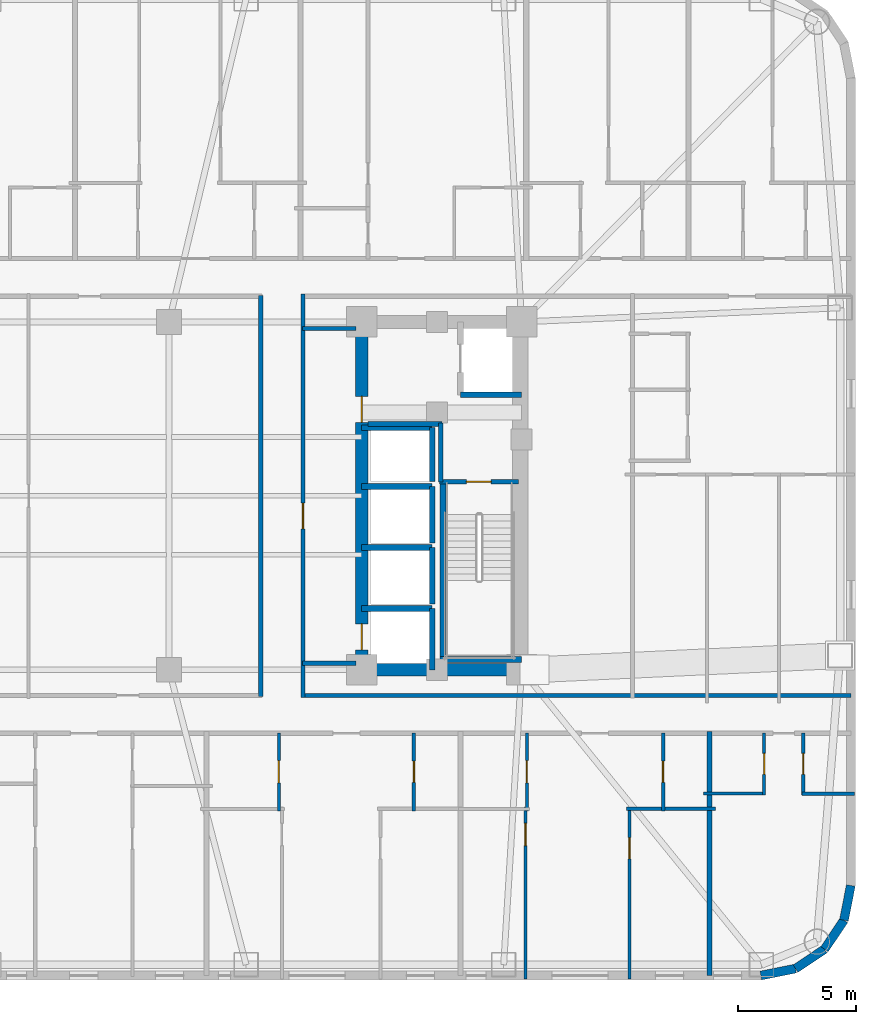
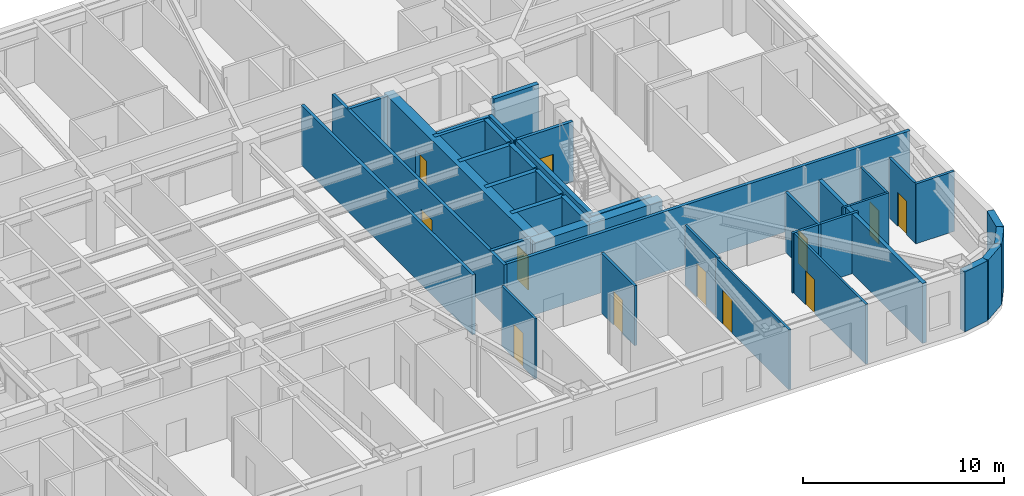
# One storey, part 6 of 11: 37 walls, 12 doors, 12 openings.
"""IFC4 building model written with IfcOpenShell, lengths in metres."""

import ifcopenshell
import ifcopenshell.guid

model = None  # the IFC model being written
_history = None  # IfcOwnerHistory: only IFC2X3 demands one
_inside = {}  # id of a spatial element -> (the spatial element, [elements in it])
_under = {}  # id of a project, library or spatial element -> (it, [spatial elements below it])
_declared = {}  # id of a project -> (the project, [libraries it declares])
_typed = {}  # id of a type object -> (the type object, [elements of that type])
_made_of = {}  # id of a material, layer set ... -> (it, [elements and type objects made of it])


def new_model(schema):
    """Start an empty IFC model of exactly this schema.

    Asked for "IFC4X3", IfcOpenShell would pick the latest addendum, in which some entities
    have other attributes; the version numbers below select the first issue.
    IFC2X3 requires an IfcOwnerHistory on every rooted entity: one is made here for all.
    """
    global model, _history
    if schema == "IFC4X3":
        model = ifcopenshell.file(schema_version=(4, 3, 0, 0))
    else:
        model = ifcopenshell.file(schema=schema)
    _inside.clear()
    _under.clear()
    _declared.clear()
    _typed.clear()
    _made_of.clear()
    _history = None
    if model.schema == "IFC2X3":
        org = make("IfcOrganization", Name="unknown")
        user = make(
            "IfcPersonAndOrganization",
            ThePerson=make("IfcPerson", FamilyName="unknown"),
            TheOrganization=org,
        )
        app = make(
            "IfcApplication",
            ApplicationDeveloper=org,
            Version="unknown",
            ApplicationFullName="unknown",
            ApplicationIdentifier="unknown",
        )
        _history = make(
            "IfcOwnerHistory",
            OwningUser=user,
            OwningApplication=app,
            ChangeAction="ADDED",
            CreationDate=0,
        )
    return model


def make(cls, **values):
    """One entity of the class cls with the attributes given. An attribute that is None is left unset."""
    return model.create_entity(
        cls, **{name: value for name, value in values.items() if value is not None}
    )


def rooted(cls, **values):
    """An entity with a GlobalId (a new one), such as an element, a storey or a relation."""
    return make(cls, GlobalId=ifcopenshell.guid.new(), OwnerHistory=_history, **values)


def si_unit(unit_type, name, prefix=None):
    """IfcSIUnit, for example si_unit("LENGTHUNIT", "METRE", prefix="MILLI")."""
    return make("IfcSIUnit", UnitType=unit_type, Prefix=prefix, Name=name)


def assignment(units):
    """IfcUnitAssignment: the units of a project."""
    return None if units is None else make("IfcUnitAssignment", Units=units)


def point(xyz):
    """IfcCartesianPoint."""
    return None if xyz is None else make("IfcCartesianPoint", Coordinates=xyz)


def direction(xyz):
    """IfcDirection."""
    return None if xyz is None else make("IfcDirection", DirectionRatios=xyz)


def frame(location, z_axis=None, x_axis=None):
    """IfcAxis2Placement3D, a coordinate frame: its origin and axes. An axis left out is left unset."""
    return make(
        "IfcAxis2Placement3D",
        Location=point(location),
        Axis=direction(z_axis),
        RefDirection=direction(x_axis),
    )


def frame_2d(location, x_axis=None):
    """IfcAxis2Placement2D, a coordinate frame in the plane: its origin and x axis."""
    return make(
        "IfcAxis2Placement2D", Location=point(location), RefDirection=direction(x_axis)
    )


def origin():
    """The frame at (0, 0, 0) with its axes left unset."""
    return frame((0.0, 0.0, 0.0))


def place(relative_to, where):
    """IfcLocalPlacement: puts the frame where relative to a parent placement (None: the world)."""
    return make(
        "IfcLocalPlacement", PlacementRelTo=relative_to, RelativePlacement=where
    )


def context(
    kind, dimensions, precision=None, world=None, true_north=None, identifier=None
):
    """IfcGeometricRepresentationContext, for example the 3D "Model" context."""
    return make(
        "IfcGeometricRepresentationContext",
        ContextIdentifier=identifier,
        ContextType=kind,
        CoordinateSpaceDimension=dimensions,
        Precision=precision,
        WorldCoordinateSystem=world,
        TrueNorth=true_north,
    )


def subcontext(parent, identifier, kind, view, scale=None):
    """IfcGeometricRepresentationSubContext, for example "Body" below "Model"."""
    return make(
        "IfcGeometricRepresentationSubContext",
        ContextIdentifier=identifier,
        ContextType=kind,
        ParentContext=parent,
        TargetScale=scale,
        TargetView=view,
    )


def project(units=None, contexts=None):
    """IfcProject with its units and contexts."""
    return rooted(
        "IfcProject",
        Name="project",
        RepresentationContexts=contexts,
        UnitsInContext=assignment(units),
    )


def spatial(cls, under=None, at=None, **own):
    """A site, building, storey or space (cls), placed at a placement, below another one or the project."""
    s = rooted(cls, ObjectPlacement=at, **own)
    if under is not None:
        _under.setdefault(under.id(), (under, []))[1].append(s)
    return s


def profile(cls, at=None, kind="AREA", **sizes):
    """A parametric profile (cls). Its sizes go by their IFC names, for example OverallWidth=200.0."""
    return make(cls, ProfileType=kind, Position=at, **sizes)


def rectangle(**sizes):
    """IfcRectangleProfileDef."""
    return profile("IfcRectangleProfileDef", **sizes)


def extrude(swept, where, along, depth):
    """IfcExtrudedAreaSolid: the profile swept, set in the frame where, extruded along a direction by depth."""
    return make(
        "IfcExtrudedAreaSolid",
        SweptArea=swept,
        Position=where,
        ExtrudedDirection=direction(along),
        Depth=depth,
    )


def shape(context_of_items, identifier, shape_type, items):
    """IfcShapeRepresentation: the items that make up one representation, for example the "Body"."""
    return make(
        "IfcShapeRepresentation",
        ContextOfItems=context_of_items,
        RepresentationIdentifier=identifier,
        RepresentationType=shape_type,
        Items=items,
    )


def material(Name=None, Category=None):
    """IfcMaterial."""
    return make("IfcMaterial", Name=Name, Category=Category)


def layer(
    of_material, thickness, ventilated=None, Name=None, Category=None, Priority=None
):
    """IfcMaterialLayer: one layer of a wall or slab, of a material (None: an air gap)."""
    return make(
        "IfcMaterialLayer",
        Material=of_material,
        LayerThickness=thickness,
        IsVentilated=ventilated,
        Name=Name,
        Category=Category,
        Priority=Priority,
    )


def layer_set(layers, Name=None):
    """IfcMaterialLayerSet."""
    return make("IfcMaterialLayerSet", MaterialLayers=layers, LayerSetName=Name)


def made_of(thing, what):
    """Note that an element or type object is made of a material, layer set ...; save() writes the relation."""
    if what is not None:
        _made_of.setdefault(what.id(), (what, []))[1].append(thing)
    return thing


def type_object(cls, material=None, **own):
    """A type object (cls), such as IfcWallType, which elements share."""
    return made_of(rooted(cls, **own), material)


def element(
    cls,
    number,
    at=None,
    inside=None,
    cuts=None,
    type_object=None,
    material=None,
    context=None,
    identifier="Body",
    shape_type=None,
    held_by="IfcProductDefinitionShape",
    body=None,
    shapes=None,
    **own,
):
    """One element of the class cls, such as IfcWall. Its Tag is "e" and its number.

    at: its placement. inside: the storey or other place that contains it. cuts: it is an
    opening in that element (IfcRelVoidsElement). A single representation is given by context,
    identifier, shape_type and body (its items); several are given by shapes. held_by: the class
    of the entity that holds the representations. save() writes the other relations.
    """
    e = rooted(cls, Tag="e%d" % number, ObjectPlacement=at, **own)
    if body is not None:
        shapes = [shape(context, identifier, shape_type, body)]
    if shapes is not None:
        e.Representation = make(held_by, Representations=shapes)
    if inside is not None:
        _inside.setdefault(inside.id(), (inside, []))[1].append(e)
    if cuts is not None:
        rooted(
            "IfcRelVoidsElement", RelatingBuildingElement=cuts, RelatedOpeningElement=e
        )
    if type_object is not None:
        _typed.setdefault(type_object.id(), (type_object, []))[1].append(e)
    return made_of(e, material)


def fill(opening, filler):
    """IfcRelFillsElement: the door or window that sits in an opening."""
    return rooted(
        "IfcRelFillsElement",
        RelatingOpeningElement=opening,
        RelatedBuildingElement=filler,
    )


def aggregate(whole, parts):
    """IfcRelAggregates: a whole, such as a stair, and the parts it consists of."""
    return rooted("IfcRelAggregates", RelatingObject=whole, RelatedObjects=parts)


def save(model, path):
    """Write the relations noted so far, then the file.

    IfcRelAggregates (storeys below a building ...), IfcRelContainedInSpatialStructure (elements
    in a storey), IfcRelDefinesByType, IfcRelAssociatesMaterial and IfcRelDeclares: one each for
    every whole, place, type object, material and project.
    """
    for whole, parts in _under.values():
        aggregate(whole, parts)
    for where, things in _inside.values():
        rooted(
            "IfcRelContainedInSpatialStructure",
            RelatedElements=things,
            RelatingStructure=where,
        )
    for kind, things in _typed.values():
        rooted("IfcRelDefinesByType", RelatedObjects=things, RelatingType=kind)
    for what, things in _made_of.values():
        rooted("IfcRelAssociatesMaterial", RelatedObjects=things, RelatingMaterial=what)
    for by, libraries in _declared.values():
        rooted("IfcRelDeclares", RelatingContext=by, RelatedDefinitions=libraries)
    model.write(path)


model = new_model("IFC4")

# Units and contexts
model_context = context("Model", 3, precision=1e-05, world=origin(), true_north=direction((0.0, 1.0)))
body_context = subcontext(model_context, "Body", "Model", "MODEL_VIEW")
ifc_project = project(units=[si_unit("LENGTHUNIT", "METRE"), si_unit("AREAUNIT", "SQUARE_METRE"), si_unit("VOLUMEUNIT", "CUBIC_METRE"), si_unit("PLANEANGLEUNIT", "RADIAN"), si_unit("MASSUNIT", "GRAM", prefix="KILO")], contexts=[model_context])

# Site, building, storey
site_placement = place(None, origin())
site = spatial("IfcSite", under=ifc_project, at=site_placement, CompositionType="ELEMENT")
building_placement = place(site_placement, origin())
building = spatial("IfcBuilding", under=site, at=building_placement, Name="Voryun Gate Residences", CompositionType="ELEMENT")
storey_placement = place(building_placement, frame((0.0, 0.0, 97.5)))
storey = spatial("IfcBuildingStorey", under=building, at=storey_placement, Name="L23", CompositionType="ELEMENT", Elevation=97.5)

# Wall
ifc_material_1 = material(Name="Concrete C60/75", Category="concrete")
ifc_layer_1 = layer(ifc_material_1, 0.550048828125, Name="CW_CORE_550")
ifc_layer_set_1 = layer_set([ifc_layer_1], Name="Concrete C60/75")
wall_type_1 = type_object("IfcWallType", Name="CW_CORE_550", PredefinedType="SHEAR", material=ifc_layer_set_1)
wall_1_placement = place(storey_placement, frame((12.125, -7.39990234375, 0.0), z_axis=(0.0, 0.0, 1.0), x_axis=(1.0, 0.0, 0.0)))
element("IfcWall", 1, at=wall_1_placement, inside=storey, type_object=wall_type_1, Name="L23 Core shear wall CW-L23-ES", PredefinedType="SHEAR", context=body_context, shape_type="SweptSolid", body=[
    extrude(rectangle(XDim=7.35009765625, YDim=0.550048828125, at=frame_2d((3.675048828125, 0.0))), origin(), (0.0, 0.0, 1.0), 3.64990234375),
])

# Wall, openings, doors
wall_2_placement = place(storey_placement, frame((12.39990234375, -7.39990234375, 0.0), z_axis=(0.0, 0.0, 1.0), x_axis=(0.0, 1.0, 0.0)))
wall_2 = element("IfcWall", 2, at=wall_2_placement, inside=storey, type_object=wall_type_1, Name="L23 Core shear wall CW-L23-EW", PredefinedType="SHEAR", context=body_context, shape_type="SweptSolid", body=[
    extrude(rectangle(XDim=14.7998046875, YDim=0.550048828125, at=frame_2d((7.39990234375, 0.0))), origin(), (0.0, 0.0, 1.0), 3.64990234375),
])
opening_1_placement = place(wall_2_placement, frame((0.85009765625, 0.0, 0.0)))
opening_1 = element("IfcOpeningElement", 3, at=opening_1_placement, cuts=wall_2, Name="Opening LD2", PredefinedType="OPENING", context=body_context, shape_type="SweptSolid", body=[
    extrude(rectangle(XDim=1.10009765625, YDim=2.050048828125, at=frame_2d((0.550048828125, 1.02490234375))), frame((0.0, 0.284912109375, 0.0), z_axis=(0.0, -1.0, 0.0), x_axis=(1.0, 0.0, 0.0)), (0.0, 0.0, 1.0), 0.570068359375),
])
opening_2_placement = place(wall_2_placement, frame((10.530029296875, 0.0, 0.0)))
opening_2 = element("IfcOpeningElement", 4, at=opening_2_placement, cuts=wall_2, Name="Opening D-FD60-2", PredefinedType="OPENING", context=body_context, shape_type="SweptSolid", body=[
    extrude(rectangle(XDim=1.10009765625, YDim=2.050048828125, at=frame_2d((0.550048828125, 1.02490234375))), frame((0.0, 0.284912109375, 0.0), z_axis=(0.0, -1.0, 0.0), x_axis=(1.0, 0.0, 0.0)), (0.0, 0.0, 1.0), 0.570068359375),
])
ifc_material_2 = material(Name="Painted steel fire door", Category="steel")
door_type_1 = type_object("IfcDoorType", Name="DR_FD60_FFLOB_1100", OperationType="NOTDEFINED", PredefinedType="DOOR", material=ifc_material_2)
door_1_placement = place(opening_2_placement, origin())
door_1 = element("IfcDoor", 5, at=door_1_placement, inside=storey, type_object=door_type_1, Name="Door DR-L23-CLOB-E", OperationType="SINGLE_SWING_RIGHT", OverallHeight=2.050048828125, OverallWidth=1.10009765625, PredefinedType="DOOR", context=body_context, shape_type="SweptSolid", body=[
    extrude(rectangle(XDim=1.10009765625, YDim=2.050048828125, at=frame_2d((0.550048828125, 1.02490234375))), frame((0.0, 0.02490234375, 0.0), z_axis=(0.0, -1.0, 0.0), x_axis=(1.0, 0.0, 0.0)), (0.0, 0.0, 1.0), 0.050048828125),
])
fill(opening_2, door_1)
ifc_material_3 = material(Name="Anodised aluminium", Category="aluminium")
door_type_2 = type_object("IfcDoorType", Name="DR_LD_PASS_1100", OperationType="NOTDEFINED", PredefinedType="DOOR", material=ifc_material_3)
door_2_placement = place(opening_1_placement, origin())
door_2 = element("IfcDoor", 6, at=door_2_placement, inside=storey, type_object=door_type_2, Name="Lift EL-P3 sliding landing door L23", OperationType="SLIDING_TO_LEFT", OverallHeight=2.050048828125, OverallWidth=1.10009765625, PredefinedType="DOOR", context=body_context, shape_type="SweptSolid", body=[
    extrude(rectangle(XDim=1.10009765625, YDim=2.050048828125, at=frame_2d((0.550048828125, 1.02490234375))), frame((0.0, 0.02490234375, 0.0), z_axis=(0.0, -1.0, 0.0), x_axis=(1.0, 0.0, 0.0)), (0.0, 0.0, 1.0), 0.050048828125),
])
fill(opening_1, door_2)

# Wall, opening, door
ifc_material_4 = material(Name="Gypsum acoustic fireboard")
ifc_layer_2 = layer(ifc_material_4, 0.179931640625, Name="W_CORR_RATED_180")
ifc_layer_set_2 = layer_set([ifc_layer_2], Name="Gypsum acoustic fireboard")
wall_type_2 = type_object("IfcWallType", Name="W_CORR_RATED_180", PredefinedType="PARTITIONING", material=ifc_layer_set_2)
wall_3_placement = place(storey_placement, frame((15.699951171875, 0.60009765625, 0.0), z_axis=(0.0, 0.0, 1.0), x_axis=(1.0, 0.0, 0.0)))
wall_3 = element("IfcWall", 7, at=wall_3_placement, inside=storey, type_object=wall_type_2, Name="Partition wall WP-L23-STV-E", PredefinedType="PARTITIONING", context=body_context, shape_type="SweptSolid", body=[
    extrude(rectangle(XDim=3.360107421875, YDim=0.179931640625, at=frame_2d((1.68017578125, 0.0))), origin(), (0.0, 0.0, 1.0), 3.64990234375),
])
opening_3_placement = place(wall_3_placement, frame((1.155029296875, 0.0, 0.0)))
opening_3 = element("IfcOpeningElement", 8, at=opening_3_placement, cuts=wall_3, Name="Opening D-FD60-1", PredefinedType="OPENING", context=body_context, shape_type="SweptSolid", body=[
    extrude(rectangle(XDim=1.050048828125, YDim=2.050048828125, at=frame_2d((0.52490234375, 1.02490234375))), frame((0.0, 0.099853515625, 0.0), z_axis=(0.0, -1.0, 0.0), x_axis=(1.0, 0.0, 0.0)), (0.0, 0.0, 1.0), 0.199951171875),
])
ifc_material_5 = material(Name="Painted steel fire door", Category="steel")
door_type_3 = type_object("IfcDoorType", Name="DR_FD60_STAIR_1050", OperationType="NOTDEFINED", PredefinedType="DOOR", material=ifc_material_5)
door_3_placement = place(opening_3_placement, origin())
door_3 = element("IfcDoor", 9, at=door_3_placement, inside=storey, type_object=door_type_3, Name="Door DR-L23-ST-E", OperationType="SINGLE_SWING_RIGHT", OverallHeight=2.050048828125, OverallWidth=1.050048828125, PredefinedType="DOOR", context=body_context, shape_type="SweptSolid", body=[
    extrude(rectangle(XDim=1.050048828125, YDim=2.050048828125, at=frame_2d((0.52490234375, 1.02490234375))), frame((0.0, 0.02490234375, 0.0), z_axis=(0.0, -1.0, 0.0), x_axis=(1.0, 0.0, 0.0)), (0.0, 0.0, 1.0), 0.050048828125),
])
fill(opening_3, door_3)

# Walls
for number, where, z_axis, x_axis, name in (
    (10, (9.8798828125, 7.1201171875, 0.0), (0.0, 0.0, 1.0), (1.0, 0.0, 0.0), "Partition wall WP-L23-PLBN-E"),
    (11, (9.8798828125, -7.1201171875, 0.0), (0.0, 0.0, 1.0), (1.0, 0.0, 0.0), "Partition wall WP-L23-PLBS-E"),
):
    element("IfcWall", number, at=place(storey_placement, frame(where, z_axis=z_axis, x_axis=x_axis)), inside=storey, type_object=wall_type_2, Name=name, PredefinedType="PARTITIONING", context=body_context, shape_type="SweptSolid", body=[
        extrude(rectangle(XDim=2.27001953125, YDim=0.179931640625, at=frame_2d((1.135009765625, 0.0))), origin(), (0.0, 0.0, 1.0), 3.64990234375),
    ])

# Wall, opening, door
wall_4_placement = place(storey_placement, frame((9.89990234375, -8.580078125, 0.0), z_axis=(0.0, 0.0, 1.0), x_axis=(0.0, 1.0, 0.0)))
wall_4 = element("IfcWall", 12, at=wall_4_placement, inside=storey, type_object=wall_type_2, Name="Partition wall WP-L23-PLBE-FULL", PredefinedType="PARTITIONING", context=body_context, shape_type="SweptSolid", body=[
    extrude(rectangle(XDim=17.16015625, YDim=0.179931640625, at=frame_2d((8.580078125, 0.0))), origin(), (0.0, 0.0, 1.0), 3.64990234375),
])
opening_4_placement = place(wall_4_placement, frame((7.172119140625, 0.0, 0.0)))
opening_4 = element("IfcOpeningElement", 13, at=opening_4_placement, cuts=wall_4, Name="Opening D-FD60-2", PredefinedType="OPENING", context=body_context, shape_type="SweptSolid", body=[
    extrude(rectangle(XDim=1.10009765625, YDim=2.050048828125, at=frame_2d((0.550048828125, 1.02490234375))), frame((0.0, 0.099853515625, 0.0), z_axis=(0.0, -1.0, 0.0), x_axis=(1.0, 0.0, 0.0)), (0.0, 0.0, 1.0), 0.199951171875),
])
door_4_placement = place(opening_4_placement, origin())
door_4 = element("IfcDoor", 14, at=door_4_placement, inside=storey, type_object=door_type_1, Name="Door DR-L23-PLBE-COR", OperationType="SINGLE_SWING_RIGHT", OverallHeight=2.050048828125, OverallWidth=1.10009765625, PredefinedType="DOOR", context=body_context, shape_type="SweptSolid", body=[
    extrude(rectangle(XDim=1.10009765625, YDim=2.050048828125, at=frame_2d((0.550048828125, 1.02490234375))), frame((0.0, 0.02490234375, 0.0), z_axis=(0.0, -1.0, 0.0), x_axis=(1.0, 0.0, 0.0)), (0.0, 0.0, 1.0), 0.050048828125),
])
fill(opening_4, door_4)

# Walls
wall_5_placement = place(storey_placement, frame((9.8798828125, -8.489990234375, 0.0), z_axis=(0.0, 0.0, 1.0), x_axis=(1.0, 0.0, 0.0)))
element("IfcWall", 15, at=wall_5_placement, inside=storey, type_object=wall_type_2, Name="Partition wall WP-L23-CWING-ES", PredefinedType="PARTITIONING", context=body_context, shape_type="SweptSolid", body=[
    extrude(rectangle(XDim=23.330078125, YDim=0.179931640625, at=frame_2d((11.6650390625, 0.0))), origin(), (0.0, 0.0, 1.0), 3.64990234375),
])
wall_6_placement = place(storey_placement, frame((8.10009765625, -8.530029296875, 0.0), z_axis=(0.0, 0.0, 1.0), x_axis=(0.0, 1.0, 0.0)))
element("IfcWall", 16, at=wall_6_placement, inside=storey, type_object=wall_type_2, Name="Partition wall WP-L23-Z1E", PredefinedType="PARTITIONING", context=body_context, shape_type="SweptSolid", body=[
    extrude(rectangle(XDim=17.06005859375, YDim=0.179931640625, at=frame_2d((8.530029296875, 0.0))), origin(), (0.0, 0.0, 1.0), 3.64990234375),
])
ifc_material_6 = material(Name="Granite masonry", Category="masonry")
ifc_layer_3 = layer(ifc_material_6, 0.3798828125, Name="W_EXT_GRANITE_380")
ifc_layer_set_3 = layer_set([ifc_layer_3], Name="Granite masonry")
wall_type_3 = type_object("IfcWallType", Name="W_EXT_GRANITE_380", PredefinedType="ELEMENTEDWALL", material=ifc_layer_set_3)
wall_7_placement = place(storey_placement, frame((33.2099609375, -16.581298828125, 0.0), z_axis=(0.0, 0.0, 1.0), x_axis=(-0.195086038585, -0.980786132421, 0.0)))
element("IfcWall", 17, at=wall_7_placement, inside=storey, type_object=wall_type_3, Name="Exterior wall WEXT-L23-17", PredefinedType="ELEMENTEDWALL", context=body_context, shape_type="SweptSolid", body=[
    extrude(rectangle(XDim=1.504150390625, YDim=0.3798828125, at=frame_2d((0.751953125, 0.0))), origin(), (0.0, 0.0, 1.0), 3.64990234375),
])
wall_8_placement = place(storey_placement, frame((32.91650390625, -18.056640625, 0.0), z_axis=(0.0, 0.0, 1.0), x_axis=(-0.555610286119, -0.831442848281, 0.0)))
element("IfcWall", 18, at=wall_8_placement, inside=storey, type_object=wall_type_3, Name="Exterior wall WEXT-L23-18", PredefinedType="ELEMENTEDWALL", context=body_context, shape_type="SweptSolid", body=[
    extrude(rectangle(XDim=1.485107421875, YDim=0.3798828125, at=frame_2d((0.74267578125, 0.0))), origin(), (0.0, 0.0, 1.0), 3.64990234375),
])
wall_9_placement = place(storey_placement, frame((32.09130859375, -19.29150390625, 0.0), z_axis=(0.0, 0.0, 1.0), x_axis=(-0.831468045563, -0.555572577804, 0.0)))
element("IfcWall", 19, at=wall_9_placement, inside=storey, type_object=wall_type_3, Name="Exterior wall WEXT-L23-19", PredefinedType="ELEMENTEDWALL", context=body_context, shape_type="SweptSolid", body=[
    extrude(rectangle(XDim=1.48486328125, YDim=0.3798828125, at=frame_2d((0.742431640625, 0.0))), origin(), (0.0, 0.0, 1.0), 3.64990234375),
])
wall_10_placement = place(storey_placement, frame((30.856689453125, -20.116455078125, 0.0), z_axis=(0.0, 0.0, 1.0), x_axis=(-0.980786132421, -0.195086038585, 0.0)))
element("IfcWall", 20, at=wall_10_placement, inside=storey, type_object=wall_type_3, Name="Exterior wall WEXT-L23-20", PredefinedType="ELEMENTEDWALL", context=body_context, shape_type="SweptSolid", body=[
    extrude(rectangle(XDim=1.504150390625, YDim=0.3798828125, at=frame_2d((0.751953125, 0.0))), origin(), (0.0, 0.0, 1.0), 3.64990234375),
])
ifc_material_7 = material(Name="Concrete C40/50", Category="concrete")
ifc_layer_4 = layer(ifc_material_7, 0.199951171875, Name="W_FF_LOBBY_200")
ifc_layer_set_4 = layer_set([ifc_layer_4], Name="Concrete C40/50")
wall_type_4 = type_object("IfcWallType", Name="W_FF_LOBBY_200", PredefinedType="PARTITIONING", material=ifc_layer_set_4)
wall_11_placement = place(storey_placement, frame((15.760009765625, 0.580078125, 0.0), z_axis=(0.0, 0.0, 1.0), x_axis=(0.0, 1.0, 0.0)))
element("IfcWall", 21, at=wall_11_placement, inside=storey, type_object=wall_type_4, Name="Partition wall WP-L23-FFP0-E", PredefinedType="PARTITIONING", context=body_context, shape_type="SweptSolid", body=[
    extrude(rectangle(XDim=2.52001953125, YDim=0.199951171875, at=frame_2d((1.260009765625, 0.0))), origin(), (0.0, 0.0, 1.0), 3.64990234375),
])
wall_12_placement = place(storey_placement, frame((12.659912109375, 3.06005859375, 0.0), z_axis=(0.0, 0.0, 1.0), x_axis=(1.0, 0.0, 0.0)))
element("IfcWall", 22, at=wall_12_placement, inside=storey, type_object=wall_type_4, Name="Partition wall WP-L23-FFPS-E", PredefinedType="PARTITIONING", context=body_context, shape_type="SweptSolid", body=[
    extrude(rectangle(XDim=3.16015625, YDim=0.199951171875, at=frame_2d((1.580078125, 0.0))), origin(), (0.0, 0.0, 1.0), 3.64990234375),
])
ifc_material_8 = material(Name="Concrete C40/50", Category="concrete")
ifc_layer_5 = layer(ifc_material_8, 0.219970703125, Name="W_PARTY_ACOUSTIC_220")
ifc_layer_set_5 = layer_set([ifc_layer_5], Name="Concrete C40/50")
wall_type_5 = type_object("IfcWallType", Name="W_PARTY_ACOUSTIC_220", PredefinedType="PARTITIONING", material=ifc_layer_set_5)
wall_13_placement = place(storey_placement, frame((27.199951171875, -20.409912109375, 0.0), z_axis=(0.0, 0.0, 1.0), x_axis=(0.0, 1.0, 0.0)))
element("IfcWall", 23, at=wall_13_placement, inside=storey, type_object=wall_type_5, Name="Partition wall WP-L23-SPTY-6", PredefinedType="PARTITIONING", context=body_context, shape_type="SweptSolid", body=[
    extrude(rectangle(XDim=10.389892578125, YDim=0.219970703125, at=frame_2d((5.19482421875, 0.0))), origin(), (0.0, 0.0, 1.0), 3.64990234375),
])
ifc_material_9 = material(Name="Concrete C50/60", Category="concrete")
ifc_layer_6 = layer(ifc_material_9, 0.25, Name="W_SHAFT_RC250")
ifc_layer_set_6 = layer_set([ifc_layer_6], Name="Concrete C50/60")
wall_type_6 = type_object("IfcWallType", Name="W_SHAFT_RC250", PredefinedType="SOLIDWALL", material=ifc_layer_set_6)
wall_14_placement = place(storey_placement, frame((15.860107421875, -7.0849609375, 0.0), z_axis=(0.0, 0.0, 1.0), x_axis=(0.0, 1.0, 0.0)))
element("IfcWall", 24, at=wall_14_placement, inside=storey, type_object=wall_type_6, Name="L23 Stair shaft structural wall E-STL", PredefinedType="SOLIDWALL", context=body_context, shape_type="SweptSolid", body=[
    extrude(rectangle(XDim=7.68505859375, YDim=0.25, at=frame_2d((3.842529296875, 0.0))), origin(), (0.0, 0.0, 1.0), 3.64990234375),
])
wall_15_placement = place(storey_placement, frame((15.739990234375, -6.965087890625, 0.0), z_axis=(0.0, 0.0, 1.0), x_axis=(1.0, 0.0, 0.0)))
element("IfcWall", 25, at=wall_15_placement, inside=storey, type_object=wall_type_6, Name="L23 Stair shaft structural wall E-STS", PredefinedType="SOLIDWALL", context=body_context, shape_type="SweptSolid", body=[
    extrude(rectangle(XDim=3.4599609375, YDim=0.25, at=frame_2d((1.72998046875, 0.0))), origin(), (0.0, 0.0, 1.0), 3.64990234375),
])
for number, where, z_axis, x_axis, name in (
    (26, (16.60009765625, 4.300048828125, 0.0), (0.0, 0.0, 1.0), (1.0, 0.0, 0.0), "Lift shaft wall WSH-L23-EL-FF-E1-S"),
    (27, (15.39990234375, -7.39990234375, 0.0), (0.0, 0.0, 1.0), (0.0, 1.0, 0.0), "Lift shaft wall WSH-L23-EL-P3-E"),
):
    element("IfcWall", number, at=place(storey_placement, frame(where, z_axis=z_axis, x_axis=x_axis)), inside=storey, type_object=wall_type_6, Name=name, PredefinedType="SOLIDWALL", context=body_context, shape_type="SweptSolid", body=[
        extrude(rectangle(XDim=2.599853515625, YDim=0.25, at=frame_2d((1.2998046875, 0.0))), origin(), (0.0, 0.0, 1.0), 3.64990234375),
    ])
wall_16_placement = place(storey_placement, frame((15.39990234375, -4.800048828125, 0.0), z_axis=(0.0, 0.0, 1.0), x_axis=(-1.0, 0.0, 0.0)))
element("IfcWall", 28, at=wall_16_placement, inside=storey, type_object=wall_type_6, Name="Lift shaft wall WSH-L23-EL-P3-N", PredefinedType="SOLIDWALL", context=body_context, shape_type="SweptSolid", body=[
    extrude(rectangle(XDim=3.0, YDim=0.25, at=frame_2d((1.5, 0.0))), origin(), (0.0, 0.0, 1.0), 3.64990234375),
])
wall_17_placement = place(storey_placement, frame((15.39990234375, -4.60009765625, 0.0), z_axis=(0.0, 0.0, 1.0), x_axis=(0.0, 1.0, 0.0)))
element("IfcWall", 29, at=wall_17_placement, inside=storey, type_object=wall_type_6, Name="Lift shaft wall WSH-L23-EL-P5-E", PredefinedType="SOLIDWALL", context=body_context, shape_type="SweptSolid", body=[
    extrude(rectangle(XDim=2.400146484375, YDim=0.25, at=frame_2d((1.2001953125, 0.0))), origin(), (0.0, 0.0, 1.0), 3.64990234375),
])
wall_18_placement = place(storey_placement, frame((15.39990234375, -2.199951171875, 0.0), z_axis=(0.0, 0.0, 1.0), x_axis=(-1.0, 0.0, 0.0)))
element("IfcWall", 30, at=wall_18_placement, inside=storey, type_object=wall_type_6, Name="Lift shaft wall WSH-L23-EL-P5-N", PredefinedType="SOLIDWALL", context=body_context, shape_type="SweptSolid", body=[
    extrude(rectangle(XDim=3.0, YDim=0.25, at=frame_2d((1.5, 0.0))), origin(), (0.0, 0.0, 1.0), 3.64990234375),
])
wall_19_placement = place(storey_placement, frame((15.39990234375, -2.0, 0.0), z_axis=(0.0, 0.0, 1.0), x_axis=(0.0, 1.0, 0.0)))
element("IfcWall", 31, at=wall_19_placement, inside=storey, type_object=wall_type_6, Name="Lift shaft wall WSH-L23-EL-P6-E", PredefinedType="SOLIDWALL", context=body_context, shape_type="SweptSolid", body=[
    extrude(rectangle(XDim=2.39990234375, YDim=0.25, at=frame_2d((1.199951171875, 0.0))), origin(), (0.0, 0.0, 1.0), 3.64990234375),
])
wall_20_placement = place(storey_placement, frame((15.39990234375, 0.39990234375, 0.0), z_axis=(0.0, 0.0, 1.0), x_axis=(-1.0, 0.0, 0.0)))
element("IfcWall", 32, at=wall_20_placement, inside=storey, type_object=wall_type_6, Name="Lift shaft wall WSH-L23-EL-P6-N", PredefinedType="SOLIDWALL", context=body_context, shape_type="SweptSolid", body=[
    extrude(rectangle(XDim=3.0, YDim=0.25, at=frame_2d((1.5, 0.0))), origin(), (0.0, 0.0, 1.0), 3.64990234375),
])
wall_21_placement = place(storey_placement, frame((15.39990234375, 0.60009765625, 0.0), z_axis=(0.0, 0.0, 1.0), x_axis=(0.0, 1.0, 0.0)))
element("IfcWall", 33, at=wall_21_placement, inside=storey, type_object=wall_type_6, Name="Lift shaft wall WSH-L23-EL-P8-E", PredefinedType="SOLIDWALL", context=body_context, shape_type="SweptSolid", body=[
    extrude(rectangle(XDim=2.2998046875, YDim=0.25, at=frame_2d((1.14990234375, 0.0))), origin(), (0.0, 0.0, 1.0), 3.64990234375),
])
wall_22_placement = place(storey_placement, frame((15.39990234375, 2.89990234375, 0.0), z_axis=(0.0, 0.0, 1.0), x_axis=(-1.0, 0.0, 0.0)))
element("IfcWall", 34, at=wall_22_placement, inside=storey, type_object=wall_type_6, Name="Lift shaft wall WSH-L23-EL-P8-N", PredefinedType="SOLIDWALL", context=body_context, shape_type="SweptSolid", body=[
    extrude(rectangle(XDim=3.0, YDim=0.25, at=frame_2d((1.5, 0.0))), origin(), (0.0, 0.0, 1.0), 3.64990234375),
])

# Wall, opening, door
ifc_material_10 = material(Name="Gypsum acoustic partition")
ifc_layer_7 = layer(ifc_material_10, 0.125, Name="W_UNIT_PART_125")
ifc_layer_set_7 = layer_set([ifc_layer_7], Name="Gypsum acoustic partition")
wall_type_7 = type_object("IfcWallType", Name="W_UNIT_PART_125", PredefinedType="PARTITIONING", material=ifc_layer_set_7)
wall_23_placement = place(storey_placement, frame((8.8720703125, -13.39990234375, 0.0), z_axis=(0.0, 0.0, 1.0), x_axis=(0.0, 1.0, 0.0)))
wall_23 = element("IfcWall", 35, at=wall_23_placement, inside=storey, type_object=wall_type_7, Name="Partition wall WP-L23-S5-IVK", PredefinedType="PARTITIONING", context=body_context, shape_type="SweptSolid", body=[
    extrude(rectangle(XDim=3.31982421875, YDim=0.125, at=frame_2d((1.659912109375, 0.0))), origin(), (0.0, 0.0, 1.0), 3.64990234375),
])
opening_5_placement = place(wall_23_placement, frame((1.18505859375, 0.0, 0.0)))
opening_5 = element("IfcOpeningElement", 36, at=opening_5_placement, cuts=wall_23, Name="Opening D-INT-1", PredefinedType="OPENING", context=body_context, shape_type="SweptSolid", body=[
    extrude(rectangle(XDim=0.949951171875, YDim=2.050048828125, at=frame_2d((0.47509765625, 1.02490234375))), frame((0.0, 0.072509765625, 0.0), z_axis=(0.0, -1.0, 0.0), x_axis=(1.0, 0.0, 0.0)), (0.0, 0.0, 1.0), 0.14501953125),
])
ifc_material_11 = material(Name="Architectural oak veneer")
door_type_4 = type_object("IfcDoorType", Name="DR_INT_ROOM_950", OperationType="NOTDEFINED", PredefinedType="DOOR", material=ifc_material_11)
door_5_placement = place(opening_5_placement, origin())
door_5 = element("IfcDoor", 37, at=door_5_placement, inside=storey, type_object=door_type_4, Name="Door DR-L23-S5-DK", OperationType="SINGLE_SWING_LEFT", OverallHeight=2.050048828125, OverallWidth=0.949951171875, PredefinedType="DOOR", context=body_context, shape_type="SweptSolid", body=[
    extrude(rectangle(XDim=0.949951171875, YDim=2.050048828125, at=frame_2d((0.47509765625, 1.02490234375))), frame((0.0, 0.02490234375, 0.0), z_axis=(0.0, -1.0, 0.0), x_axis=(1.0, 0.0, 0.0)), (0.0, 0.0, 1.0), 0.050048828125),
])
fill(opening_5, door_5)

wall_24_placement = place(storey_placement, frame((19.364013671875, -20.56005859375, 0.0), z_axis=(0.0, 0.0, 1.0), x_axis=(0.0, 1.0, 0.0)))
wall_24 = element("IfcWall", 38, at=wall_24_placement, inside=storey, type_object=wall_type_7, Name="Partition wall WP-L23-S6-OVL", PredefinedType="PARTITIONING", context=body_context, shape_type="SweptSolid", body=[
    extrude(rectangle(XDim=7.320068359375, YDim=0.125, at=frame_2d((3.66015625, 0.0))), origin(), (0.0, 0.0, 1.0), 3.64990234375),
])
opening_6_placement = place(wall_24_placement, frame((5.673828125, 0.0, 0.0)))
opening_6 = element("IfcOpeningElement", 39, at=opening_6_placement, cuts=wall_24, Name="Opening D-INT-1", PredefinedType="OPENING", context=body_context, shape_type="SweptSolid", body=[
    extrude(rectangle(XDim=0.949951171875, YDim=2.050048828125, at=frame_2d((0.47509765625, 1.02490234375))), frame((0.0, 0.072509765625, 0.0), z_axis=(0.0, -1.0, 0.0), x_axis=(1.0, 0.0, 0.0)), (0.0, 0.0, 1.0), 0.14501953125),
])
door_6_placement = place(opening_6_placement, origin())
door_6 = element("IfcDoor", 40, at=door_6_placement, inside=storey, type_object=door_type_4, Name="Door DR-L23-S6-DB2", OperationType="SINGLE_SWING_LEFT", OverallHeight=2.050048828125, OverallWidth=0.949951171875, PredefinedType="DOOR", context=body_context, shape_type="SweptSolid", body=[
    extrude(rectangle(XDim=0.949951171875, YDim=2.050048828125, at=frame_2d((0.47509765625, 1.02490234375))), frame((0.0, 0.02490234375, 0.0), z_axis=(0.0, -1.0, 0.0), x_axis=(1.0, 0.0, 0.0)), (0.0, 0.0, 1.0), 0.050048828125),
])
fill(opening_6, door_6)

wall_25_placement = place(storey_placement, frame((23.7900390625, -20.56005859375, 0.0), z_axis=(0.0, 0.0, 1.0), x_axis=(0.0, 1.0, 0.0)))
wall_25 = element("IfcWall", 41, at=wall_25_placement, inside=storey, type_object=wall_type_7, Name="Partition wall WP-L23-S6-OVR", PredefinedType="PARTITIONING", context=body_context, shape_type="SweptSolid", body=[
    extrude(rectangle(XDim=7.320068359375, YDim=0.125, at=frame_2d((3.66015625, 0.0))), origin(), (0.0, 0.0, 1.0), 3.64990234375),
])
opening_7_placement = place(wall_25_placement, frame((5.11328125, 0.0, 0.0)))
opening_7 = element("IfcOpeningElement", 42, at=opening_7_placement, cuts=wall_25, Name="Opening D-INT-2", PredefinedType="OPENING", context=body_context, shape_type="SweptSolid", body=[
    extrude(rectangle(XDim=0.89990234375, YDim=2.050048828125, at=frame_2d((0.449951171875, 1.02490234375))), frame((0.0, 0.072509765625, 0.0), z_axis=(0.0, -1.0, 0.0), x_axis=(1.0, 0.0, 0.0)), (0.0, 0.0, 1.0), 0.14501953125),
])
ifc_material_12 = material(Name="Architectural oak veneer")
door_type_5 = type_object("IfcDoorType", Name="DR_INT_BATH_900", OperationType="NOTDEFINED", PredefinedType="DOOR", material=ifc_material_12)
door_7_placement = place(opening_7_placement, origin())
door_7 = element("IfcDoor", 43, at=door_7_placement, inside=storey, type_object=door_type_5, Name="Door DR-L23-S6-DMB", OperationType="SINGLE_SWING_RIGHT", OverallHeight=2.050048828125, OverallWidth=0.89990234375, PredefinedType="DOOR", context=body_context, shape_type="SweptSolid", body=[
    extrude(rectangle(XDim=0.89990234375, YDim=2.050048828125, at=frame_2d((0.449951171875, 1.02490234375))), frame((0.0, 0.02490234375, 0.0), z_axis=(0.0, -1.0, 0.0), x_axis=(1.0, 0.0, 0.0)), (0.0, 0.0, 1.0), 0.050048828125),
])
fill(opening_7, door_7)

wall_26_placement = place(storey_placement, frame((19.427001953125, -13.39990234375, 0.0), z_axis=(0.0, 0.0, 1.0), x_axis=(0.0, 1.0, 0.0)))
wall_26 = element("IfcWall", 44, at=wall_26_placement, inside=storey, type_object=wall_type_7, Name="Partition wall WP-L23-S6-IVK", PredefinedType="PARTITIONING", context=body_context, shape_type="SweptSolid", body=[
    extrude(rectangle(XDim=3.31982421875, YDim=0.125, at=frame_2d((1.659912109375, 0.0))), origin(), (0.0, 0.0, 1.0), 3.64990234375),
])
opening_8_placement = place(wall_26_placement, frame((1.18505859375, 0.0, 0.0)))
opening_8 = element("IfcOpeningElement", 45, at=opening_8_placement, cuts=wall_26, Name="Opening D-INT-1", PredefinedType="OPENING", context=body_context, shape_type="SweptSolid", body=[
    extrude(rectangle(XDim=0.949951171875, YDim=2.050048828125, at=frame_2d((0.47509765625, 1.02490234375))), frame((0.0, 0.072509765625, 0.0), z_axis=(0.0, -1.0, 0.0), x_axis=(1.0, 0.0, 0.0)), (0.0, 0.0, 1.0), 0.14501953125),
])
door_8_placement = place(opening_8_placement, origin())
door_8 = element("IfcDoor", 46, at=door_8_placement, inside=storey, type_object=door_type_4, Name="Door DR-L23-S6-DK", OperationType="SINGLE_SWING_LEFT", OverallHeight=2.050048828125, OverallWidth=0.949951171875, PredefinedType="DOOR", context=body_context, shape_type="SweptSolid", body=[
    extrude(rectangle(XDim=0.949951171875, YDim=2.050048828125, at=frame_2d((0.47509765625, 1.02490234375))), frame((0.0, 0.02490234375, 0.0), z_axis=(0.0, -1.0, 0.0), x_axis=(1.0, 0.0, 0.0)), (0.0, 0.0, 1.0), 0.050048828125),
])
fill(opening_8, door_8)

wall_27_placement = place(storey_placement, frame((29.52392578125, -12.72998046875, 0.0), z_axis=(0.0, 0.0, 1.0), x_axis=(0.0, 1.0, 0.0)))
wall_27 = element("IfcWall", 47, at=wall_27_placement, inside=storey, type_object=wall_type_7, Name="Partition wall WP-L23-S7-CVK", PredefinedType="PARTITIONING", context=body_context, shape_type="SweptSolid", body=[
    extrude(rectangle(XDim=2.64990234375, YDim=0.125, at=frame_2d((1.324951171875, 0.0))), origin(), (0.0, 0.0, 1.0), 3.64990234375),
])
opening_9_placement = place(wall_27_placement, frame((0.875, 0.0, 0.0)))
opening_9 = element("IfcOpeningElement", 48, at=opening_9_placement, cuts=wall_27, Name="Opening D-INT-2", PredefinedType="OPENING", context=body_context, shape_type="SweptSolid", body=[
    extrude(rectangle(XDim=0.89990234375, YDim=2.050048828125, at=frame_2d((0.449951171875, 1.02490234375))), frame((0.0, 0.072509765625, 0.0), z_axis=(0.0, -1.0, 0.0), x_axis=(1.0, 0.0, 0.0)), (0.0, 0.0, 1.0), 0.14501953125),
])
door_9_placement = place(opening_9_placement, origin())
door_9 = element("IfcDoor", 49, at=door_9_placement, inside=storey, type_object=door_type_5, Name="Door DR-L23-S7-DK", OperationType="SINGLE_SWING_LEFT", OverallHeight=2.050048828125, OverallWidth=0.89990234375, PredefinedType="DOOR", context=body_context, shape_type="SweptSolid", body=[
    extrude(rectangle(XDim=0.89990234375, YDim=2.050048828125, at=frame_2d((0.449951171875, 1.02490234375))), frame((0.0, 0.02490234375, 0.0), z_axis=(0.0, -1.0, 0.0), x_axis=(1.0, 0.0, 0.0)), (0.0, 0.0, 1.0), 0.050048828125),
])
fill(opening_9, door_9)

# Wall
wall_28_placement = place(storey_placement, frame((26.93994140625, -12.669921875, 0.0), z_axis=(0.0, 0.0, 1.0), x_axis=(1.0, 0.0, 0.0)))
element("IfcWall", 50, at=wall_28_placement, inside=storey, type_object=wall_type_7, Name="Partition wall WP-L23-S7-CHK", PredefinedType="PARTITIONING", context=body_context, shape_type="SweptSolid", body=[
    extrude(rectangle(XDim=2.64404296875, YDim=0.125, at=frame_2d((1.322021484375, 0.0))), origin(), (0.0, 0.0, 1.0), 3.64990234375),
])

# Wall, opening, door
ifc_material_13 = material(Name="Gypsum moisture-resistant partition")
ifc_layer_8 = layer(ifc_material_13, 0.14990234375, Name="W_WET_PLUMB_150")
ifc_layer_set_8 = layer_set([ifc_layer_8], Name="Gypsum moisture-resistant partition")
wall_type_8 = type_object("IfcWallType", Name="W_WET_PLUMB_150", PredefinedType="PLUMBINGWALL", material=ifc_layer_set_8)
wall_29_placement = place(storey_placement, frame((14.6201171875, -13.39990234375, 0.0), z_axis=(0.0, 0.0, 1.0), x_axis=(0.0, 1.0, 0.0)))
wall_29 = element("IfcWall", 51, at=wall_29_placement, inside=storey, type_object=wall_type_8, Name="Partition wall WP-L23-S5-IVB", PredefinedType="PLUMBINGWALL", context=body_context, shape_type="SweptSolid", body=[
    extrude(rectangle(XDim=3.31982421875, YDim=0.14990234375, at=frame_2d((1.659912109375, 0.0))), origin(), (0.0, 0.0, 1.0), 3.64990234375),
])
opening_10_placement = place(wall_29_placement, frame((1.2099609375, 0.0, 0.0)))
opening_10 = element("IfcOpeningElement", 52, at=opening_10_placement, cuts=wall_29, Name="Opening D-INT-2", PredefinedType="OPENING", context=body_context, shape_type="SweptSolid", body=[
    extrude(rectangle(XDim=0.89990234375, YDim=2.050048828125, at=frame_2d((0.449951171875, 1.02490234375))), frame((0.0, 0.0849609375, 0.0), z_axis=(0.0, -1.0, 0.0), x_axis=(1.0, 0.0, 0.0)), (0.0, 0.0, 1.0), 0.169921875),
])
door_10_placement = place(opening_10_placement, origin())
door_10 = element("IfcDoor", 53, at=door_10_placement, inside=storey, type_object=door_type_5, Name="Door DR-L23-S5-DB", OperationType="SINGLE_SWING_RIGHT", OverallHeight=2.050048828125, OverallWidth=0.89990234375, PredefinedType="DOOR", context=body_context, shape_type="SweptSolid", body=[
    extrude(rectangle(XDim=0.89990234375, YDim=2.050048828125, at=frame_2d((0.449951171875, 1.02490234375))), frame((0.0, 0.02490234375, 0.0), z_axis=(0.0, -1.0, 0.0), x_axis=(1.0, 0.0, 0.0)), (0.0, 0.0, 1.0), 0.050048828125),
])
fill(opening_10, door_10)

# Wall
wall_30_placement = place(storey_placement, frame((23.669921875, -13.320068359375, 0.0), z_axis=(0.0, 0.0, 1.0), x_axis=(1.0, 0.0, 0.0)))
element("IfcWall", 54, at=wall_30_placement, inside=storey, type_object=wall_type_8, Name="Partition wall WP-L23-S6-HZB", PredefinedType="PLUMBINGWALL", context=body_context, shape_type="SweptSolid", body=[
    extrude(rectangle(XDim=3.7900390625, YDim=0.14990234375, at=frame_2d((1.89501953125, 0.0))), origin(), (0.0, 0.0, 1.0), 3.64990234375),
])

# Wall, opening, door
wall_31_placement = place(storey_placement, frame((25.219970703125, -13.39990234375, 0.0), z_axis=(0.0, 0.0, 1.0), x_axis=(0.0, 1.0, 0.0)))
wall_31 = element("IfcWall", 55, at=wall_31_placement, inside=storey, type_object=wall_type_8, Name="Partition wall WP-L23-S6-IVB", PredefinedType="PLUMBINGWALL", context=body_context, shape_type="SweptSolid", body=[
    extrude(rectangle(XDim=3.31982421875, YDim=0.14990234375, at=frame_2d((1.659912109375, 0.0))), origin(), (0.0, 0.0, 1.0), 3.64990234375),
])
opening_11_placement = place(wall_31_placement, frame((1.2099609375, 0.0, 0.0)))
opening_11 = element("IfcOpeningElement", 56, at=opening_11_placement, cuts=wall_31, Name="Opening D-INT-2", PredefinedType="OPENING", context=body_context, shape_type="SweptSolid", body=[
    extrude(rectangle(XDim=0.89990234375, YDim=2.050048828125, at=frame_2d((0.449951171875, 1.02490234375))), frame((0.0, 0.0849609375, 0.0), z_axis=(0.0, -1.0, 0.0), x_axis=(1.0, 0.0, 0.0)), (0.0, 0.0, 1.0), 0.169921875),
])
door_11_placement = place(opening_11_placement, origin())
door_11 = element("IfcDoor", 57, at=door_11_placement, inside=storey, type_object=door_type_5, Name="Door DR-L23-S6-DB", OperationType="SINGLE_SWING_RIGHT", OverallHeight=2.050048828125, OverallWidth=0.89990234375, PredefinedType="DOOR", context=body_context, shape_type="SweptSolid", body=[
    extrude(rectangle(XDim=0.89990234375, YDim=2.050048828125, at=frame_2d((0.449951171875, 1.02490234375))), frame((0.0, 0.02490234375, 0.0), z_axis=(0.0, -1.0, 0.0), x_axis=(1.0, 0.0, 0.0)), (0.0, 0.0, 1.0), 0.050048828125),
])
fill(opening_11, door_11)

wall_32_placement = place(storey_placement, frame((31.19189453125, -12.72998046875, 0.0), z_axis=(0.0, 0.0, 1.0), x_axis=(0.0, 1.0, 0.0)))
wall_32 = element("IfcWall", 58, at=wall_32_placement, inside=storey, type_object=wall_type_8, Name="Partition wall WP-L23-S7-CVB", PredefinedType="PLUMBINGWALL", context=body_context, shape_type="SweptSolid", body=[
    extrude(rectangle(XDim=2.64990234375, YDim=0.14990234375, at=frame_2d((1.324951171875, 0.0))), origin(), (0.0, 0.0, 1.0), 3.64990234375),
])
opening_12_placement = place(wall_32_placement, frame((0.875, 0.0, 0.0)))
opening_12 = element("IfcOpeningElement", 59, at=opening_12_placement, cuts=wall_32, Name="Opening D-INT-2", PredefinedType="OPENING", context=body_context, shape_type="SweptSolid", body=[
    extrude(rectangle(XDim=0.89990234375, YDim=2.050048828125, at=frame_2d((0.449951171875, 1.02490234375))), frame((0.0, 0.0849609375, 0.0), z_axis=(0.0, -1.0, 0.0), x_axis=(1.0, 0.0, 0.0)), (0.0, 0.0, 1.0), 0.169921875),
])
door_12_placement = place(opening_12_placement, origin())
door_12 = element("IfcDoor", 60, at=door_12_placement, inside=storey, type_object=door_type_5, Name="Door DR-L23-S7-DB", OperationType="SINGLE_SWING_RIGHT", OverallHeight=2.050048828125, OverallWidth=0.89990234375, PredefinedType="DOOR", context=body_context, shape_type="SweptSolid", body=[
    extrude(rectangle(XDim=0.89990234375, YDim=2.050048828125, at=frame_2d((0.449951171875, 1.02490234375))), frame((0.0, 0.02490234375, 0.0), z_axis=(0.0, -1.0, 0.0), x_axis=(1.0, 0.0, 0.0)), (0.0, 0.0, 1.0), 0.050048828125),
])
fill(opening_12, door_12)

# Wall
wall_33_placement = place(storey_placement, frame((31.132080078125, -12.669921875, 0.0), z_axis=(0.0, 0.0, 1.0), x_axis=(1.0, 0.0, 0.0)))
element("IfcWall", 61, at=wall_33_placement, inside=storey, type_object=wall_type_8, Name="Partition wall WP-L23-S7-CHB", PredefinedType="PLUMBINGWALL", context=body_context, shape_type="SweptSolid", body=[
    extrude(rectangle(XDim=2.22802734375, YDim=0.14990234375, at=frame_2d((1.114013671875, 0.0))), origin(), (0.0, 0.0, 1.0), 3.64990234375),
])

save(model, "model.ifc")
